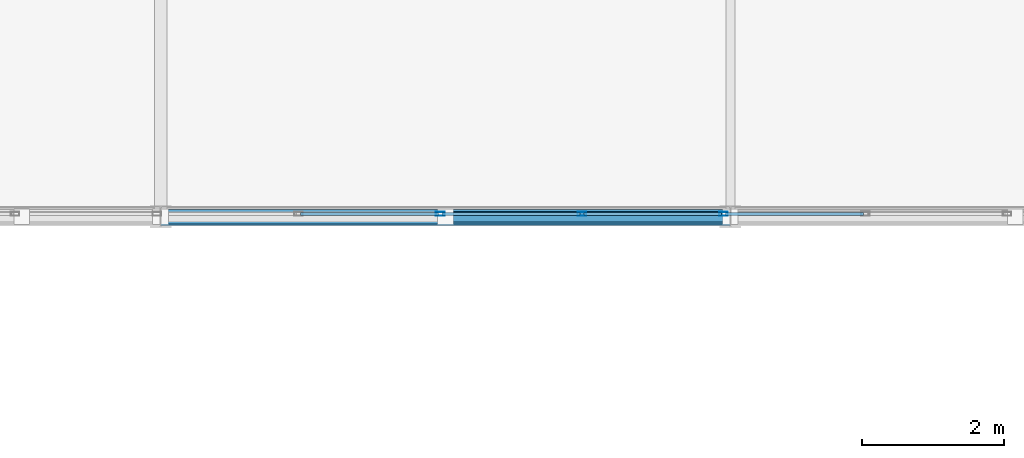
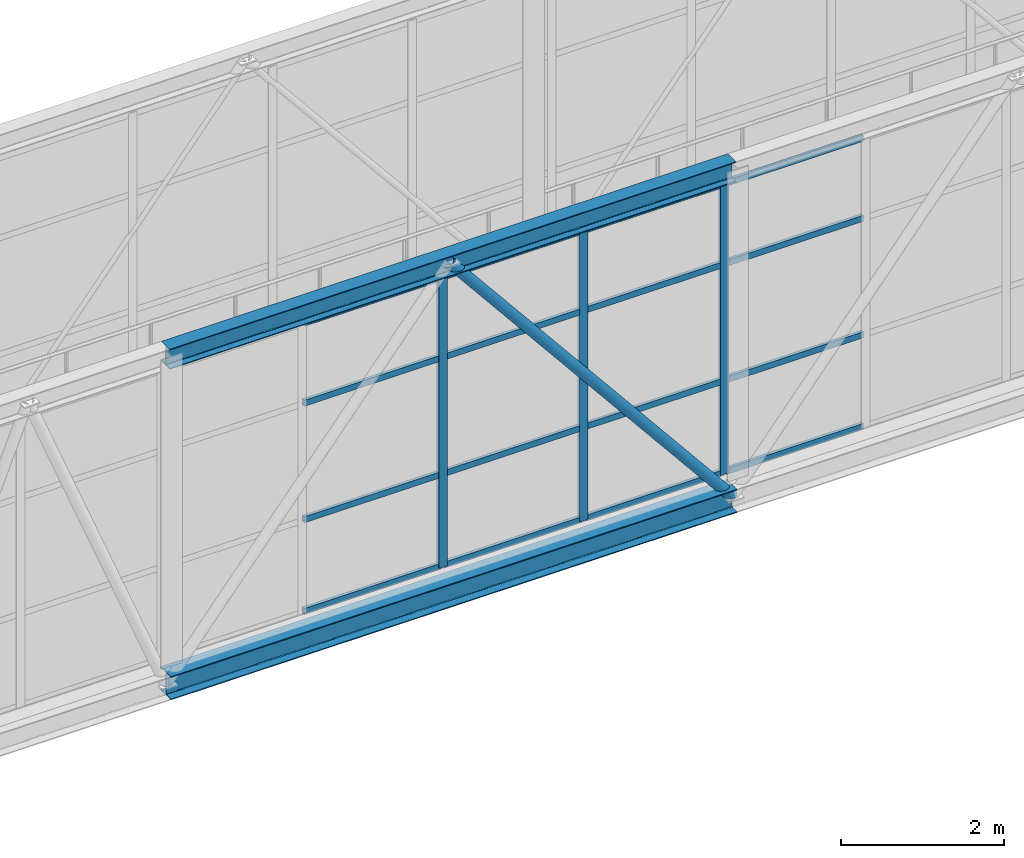
# One storey, part 149 of 248: 22 members, 1 element without a shape of its own.
"""IFC4 building model written with IfcOpenShell, lengths in metres."""

from ifc_helpers import new_model, si_unit, direction, frame, origin, origin_2d, place, context, subcontext, project, spatial, hollow_rectangle, hollow_circle, i_section, extrude, material, layer, layer_set, material_profile, profile_set, type_object, element, aggregate, save


model = new_model("IFC4")

# Units and contexts
model_context = context("Model", 3, precision=1e-05, world=origin(), true_north=direction((0.0, 1.0)))
body_context = subcontext(model_context, "Body", "Model", "MODEL_VIEW")
ifc_project = project(units=[si_unit("LENGTHUNIT", "METRE"), si_unit("AREAUNIT", "SQUARE_METRE"), si_unit("VOLUMEUNIT", "CUBIC_METRE"), si_unit("PLANEANGLEUNIT", "RADIAN"), si_unit("MASSUNIT", "GRAM", prefix="KILO")], contexts=[model_context])

# Site, building, storey
site_placement = place(None, origin())
site = spatial("IfcSite", under=ifc_project, at=site_placement, CompositionType="ELEMENT")
building_placement = place(site_placement, origin())
building = spatial("IfcBuilding", under=site, at=building_placement, Name="Canggui Botanical Conservatory", CompositionType="ELEMENT")
storey_placement = place(building_placement, frame((0.0, 0.0, 5.39990234375)))
storey = spatial("IfcBuildingStorey", under=building, at=storey_placement, Name="L02", CompositionType="ELEMENT", Elevation=5.39990234375)

# Curtain wall, members
ifc_material_1 = material(Name="Thermally Broken Aluminium", Category="aluminium")
ifc_layer = layer(ifc_material_1, 0.1201171875, Name="Thermally Broken Aluminium", Category="aluminium")
ifc_layer_set = layer_set([ifc_layer], Name="Thermally Broken Aluminium")
curtain_wall_type = type_object("IfcCurtainWallType", Name="CW-STICK-B", PredefinedType="USERDEFINED", material=ifc_layer_set)
curtain_wall_placement = place(storey_placement, origin())
curtain_wall = element("IfcCurtainWall", 1, at=curtain_wall_placement, inside=storey, type_object=curtain_wall_type, Name="Facade Curtain Wall CW-SB-04-1", ObjectType="STICK GLAZED WALL", PredefinedType="USERDEFINED")
ifc_material_profile_1 = material_profile(ifc_material_1, hollow_rectangle(XDim=0.054931640625, YDim=0.1201171875, WallThickness=0.0029296875, at=origin_2d()), Name="CWM 55x120x3")
ifc_profile_set_1 = profile_set([ifc_material_profile_1], Name="Thermally Broken Aluminium")
member_type_1 = type_object("IfcMemberType", Name="CWM-05", PredefinedType="MULLION", material=ifc_profile_set_1)
member_1_placement = place(storey_placement, frame((77.4267578125, 75.0400390625, 0.0), z_axis=(0.0, 0.0, 1.0), x_axis=(0.0, 1.0, 0.0)))
member_1 = element("IfcMember", 2, at=member_1_placement, type_object=member_type_1, Name="CW-05 mullion 6", PredefinedType="MULLION", context=body_context, shape_type="SweptSolid", body=[
    extrude(hollow_rectangle(XDim=0.054931640625, YDim=0.1201171875, WallThickness=0.0029296875, at=origin_2d()), origin(), (0.0, 0.0, 1.0), 4.35009765625),
])
member_2_placement = place(storey_placement, frame((79.416015625, 75.0400390625, 0.0), z_axis=(0.0, 0.0, 1.0), x_axis=(0.0, 1.0, 0.0)))
member_2 = element("IfcMember", 3, at=member_2_placement, type_object=member_type_1, Name="CW-05 mullion 7", PredefinedType="MULLION", context=body_context, shape_type="SweptSolid", body=[
    extrude(hollow_rectangle(XDim=0.054931640625, YDim=0.1201171875, WallThickness=0.0029296875, at=origin_2d()), origin(), (0.0, 0.0, 1.0), 4.35009765625),
])
member_3_placement = place(storey_placement, frame((81.405517578125, 75.0400390625, 0.0), z_axis=(0.0, 0.0, 1.0), x_axis=(0.0, 1.0, 0.0)))
member_3 = element("IfcMember", 4, at=member_3_placement, type_object=member_type_1, Name="CW-05 mullion 8", PredefinedType="MULLION", context=body_context, shape_type="SweptSolid", body=[
    extrude(hollow_rectangle(XDim=0.054931640625, YDim=0.1201171875, WallThickness=0.0029296875, at=origin_2d()), origin(), (0.0, 0.0, 1.0), 4.35009765625),
])
ifc_material_profile_2 = material_profile(ifc_material_1, hollow_rectangle(XDim=0.044921875, YDim=0.090087890625, WallThickness=0.0029296875, at=origin_2d()), Name="CWT 45x90x3")
ifc_profile_set_2 = profile_set([ifc_material_profile_2], Name="Thermally Broken Aluminium")
member_type_2 = type_object("IfcMemberType", Name="CWT-05", PredefinedType="USERDEFINED", material=ifc_profile_set_2)
member_4_placement = place(storey_placement, frame((75.46484375, 75.0400390625, 0.022705078125), z_axis=(1.0, 0.0, 0.0), x_axis=(0.0, 1.0, 0.0)))
member_4 = element("IfcMember", 5, at=member_4_placement, type_object=member_type_2, Name="CW-05 transom 5.1", ObjectType="TRANSOM", PredefinedType="USERDEFINED", context=body_context, shape_type="SweptSolid", body=[
    extrude(hollow_rectangle(XDim=0.044921875, YDim=0.090087890625, WallThickness=0.0029296875, at=origin_2d()), origin(), (0.0, 0.0, 1.0), 1.934326171875),
])
member_5_placement = place(storey_placement, frame((75.46484375, 75.0400390625, 1.39208984375), z_axis=(1.0, 0.0, 0.0), x_axis=(0.0, 1.0, 0.0)))
member_5 = element("IfcMember", 6, at=member_5_placement, type_object=member_type_2, Name="CW-05 transom 5.2", ObjectType="TRANSOM", PredefinedType="USERDEFINED", context=body_context, shape_type="SweptSolid", body=[
    extrude(hollow_rectangle(XDim=0.044921875, YDim=0.090087890625, WallThickness=0.0029296875, at=origin_2d()), origin(), (0.0, 0.0, 1.0), 1.934326171875),
])
member_6_placement = place(storey_placement, frame((75.46484375, 75.0400390625, 3.132080078125), z_axis=(1.0, 0.0, 0.0), x_axis=(0.0, 1.0, 0.0)))
member_6 = element("IfcMember", 7, at=member_6_placement, type_object=member_type_2, Name="CW-05 transom 5.3", ObjectType="TRANSOM", PredefinedType="USERDEFINED", context=body_context, shape_type="SweptSolid", body=[
    extrude(hollow_rectangle(XDim=0.044921875, YDim=0.090087890625, WallThickness=0.0029296875, at=origin_2d()), origin(), (0.0, 0.0, 1.0), 1.934326171875),
])
member_7_placement = place(storey_placement, frame((75.46484375, 75.0400390625, 4.32763671875), z_axis=(1.0, 0.0, 0.0), x_axis=(0.0, 1.0, 0.0)))
member_7 = element("IfcMember", 8, at=member_7_placement, type_object=member_type_2, Name="CW-05 transom 5.4", ObjectType="TRANSOM", PredefinedType="USERDEFINED", context=body_context, shape_type="SweptSolid", body=[
    extrude(hollow_rectangle(XDim=0.044921875, YDim=0.090087890625, WallThickness=0.0029296875, at=origin_2d()), origin(), (0.0, 0.0, 1.0), 1.934326171875),
])
member_8_placement = place(storey_placement, frame((77.454345703125, 75.0400390625, 0.022705078125), z_axis=(1.0, 0.0, 0.0), x_axis=(0.0, 1.0, 0.0)))
member_8 = element("IfcMember", 9, at=member_8_placement, type_object=member_type_2, Name="CW-05 transom 6.1", ObjectType="TRANSOM", PredefinedType="USERDEFINED", context=body_context, shape_type="SweptSolid", body=[
    extrude(hollow_rectangle(XDim=0.044921875, YDim=0.090087890625, WallThickness=0.0029296875, at=origin_2d()), origin(), (0.0, 0.0, 1.0), 1.934326171875),
])
member_9_placement = place(storey_placement, frame((77.454345703125, 75.0400390625, 1.39208984375), z_axis=(1.0, 0.0, 0.0), x_axis=(0.0, 1.0, 0.0)))
member_9 = element("IfcMember", 10, at=member_9_placement, type_object=member_type_2, Name="CW-05 transom 6.2", ObjectType="TRANSOM", PredefinedType="USERDEFINED", context=body_context, shape_type="SweptSolid", body=[
    extrude(hollow_rectangle(XDim=0.044921875, YDim=0.090087890625, WallThickness=0.0029296875, at=origin_2d()), origin(), (0.0, 0.0, 1.0), 1.934326171875),
])
member_10_placement = place(storey_placement, frame((77.454345703125, 75.0400390625, 3.132080078125), z_axis=(1.0, 0.0, 0.0), x_axis=(0.0, 1.0, 0.0)))
member_10 = element("IfcMember", 11, at=member_10_placement, type_object=member_type_2, Name="CW-05 transom 6.3", ObjectType="TRANSOM", PredefinedType="USERDEFINED", context=body_context, shape_type="SweptSolid", body=[
    extrude(hollow_rectangle(XDim=0.044921875, YDim=0.090087890625, WallThickness=0.0029296875, at=origin_2d()), origin(), (0.0, 0.0, 1.0), 1.934326171875),
])
member_11_placement = place(storey_placement, frame((77.454345703125, 75.0400390625, 4.32763671875), z_axis=(1.0, 0.0, 0.0), x_axis=(0.0, 1.0, 0.0)))
member_11 = element("IfcMember", 12, at=member_11_placement, type_object=member_type_2, Name="CW-05 transom 6.4", ObjectType="TRANSOM", PredefinedType="USERDEFINED", context=body_context, shape_type="SweptSolid", body=[
    extrude(hollow_rectangle(XDim=0.044921875, YDim=0.090087890625, WallThickness=0.0029296875, at=origin_2d()), origin(), (0.0, 0.0, 1.0), 1.934326171875),
])
member_12_placement = place(storey_placement, frame((79.443603515625, 75.0400390625, 0.022705078125), z_axis=(1.0, 0.0, 0.0), x_axis=(0.0, 1.0, 0.0)))
member_12 = element("IfcMember", 13, at=member_12_placement, type_object=member_type_2, Name="CW-05 transom 7.1", ObjectType="TRANSOM", PredefinedType="USERDEFINED", context=body_context, shape_type="SweptSolid", body=[
    extrude(hollow_rectangle(XDim=0.044921875, YDim=0.090087890625, WallThickness=0.0029296875, at=origin_2d()), origin(), (0.0, 0.0, 1.0), 1.934326171875),
])
member_13_placement = place(storey_placement, frame((79.443603515625, 75.0400390625, 1.39208984375), z_axis=(1.0, 0.0, 0.0), x_axis=(0.0, 1.0, 0.0)))
member_13 = element("IfcMember", 14, at=member_13_placement, type_object=member_type_2, Name="CW-05 transom 7.2", ObjectType="TRANSOM", PredefinedType="USERDEFINED", context=body_context, shape_type="SweptSolid", body=[
    extrude(hollow_rectangle(XDim=0.044921875, YDim=0.090087890625, WallThickness=0.0029296875, at=origin_2d()), origin(), (0.0, 0.0, 1.0), 1.934326171875),
])
member_14_placement = place(storey_placement, frame((79.443603515625, 75.0400390625, 3.132080078125), z_axis=(1.0, 0.0, 0.0), x_axis=(0.0, 1.0, 0.0)))
member_14 = element("IfcMember", 15, at=member_14_placement, type_object=member_type_2, Name="CW-05 transom 7.3", ObjectType="TRANSOM", PredefinedType="USERDEFINED", context=body_context, shape_type="SweptSolid", body=[
    extrude(hollow_rectangle(XDim=0.044921875, YDim=0.090087890625, WallThickness=0.0029296875, at=origin_2d()), origin(), (0.0, 0.0, 1.0), 1.934326171875),
])
member_15_placement = place(storey_placement, frame((79.443603515625, 75.0400390625, 4.32763671875), z_axis=(1.0, 0.0, 0.0), x_axis=(0.0, 1.0, 0.0)))
member_15 = element("IfcMember", 16, at=member_15_placement, type_object=member_type_2, Name="CW-05 transom 7.4", ObjectType="TRANSOM", PredefinedType="USERDEFINED", context=body_context, shape_type="SweptSolid", body=[
    extrude(hollow_rectangle(XDim=0.044921875, YDim=0.090087890625, WallThickness=0.0029296875, at=origin_2d()), origin(), (0.0, 0.0, 1.0), 1.934326171875),
])
member_16_placement = place(storey_placement, frame((81.43310546875, 75.0400390625, 0.022705078125), z_axis=(1.0, 0.0, 0.0), x_axis=(0.0, 1.0, 0.0)))
member_16 = element("IfcMember", 17, at=member_16_placement, type_object=member_type_2, Name="CW-05 transom 8.1", ObjectType="TRANSOM", PredefinedType="USERDEFINED", context=body_context, shape_type="SweptSolid", body=[
    extrude(hollow_rectangle(XDim=0.044921875, YDim=0.090087890625, WallThickness=0.0029296875, at=origin_2d()), origin(), (0.0, 0.0, 1.0), 1.934326171875),
])
member_17_placement = place(storey_placement, frame((81.43310546875, 75.0400390625, 1.39208984375), z_axis=(1.0, 0.0, 0.0), x_axis=(0.0, 1.0, 0.0)))
member_17 = element("IfcMember", 18, at=member_17_placement, type_object=member_type_2, Name="CW-05 transom 8.2", ObjectType="TRANSOM", PredefinedType="USERDEFINED", context=body_context, shape_type="SweptSolid", body=[
    extrude(hollow_rectangle(XDim=0.044921875, YDim=0.090087890625, WallThickness=0.0029296875, at=origin_2d()), origin(), (0.0, 0.0, 1.0), 1.934326171875),
])
member_18_placement = place(storey_placement, frame((81.43310546875, 75.0400390625, 3.132080078125), z_axis=(1.0, 0.0, 0.0), x_axis=(0.0, 1.0, 0.0)))
member_18 = element("IfcMember", 19, at=member_18_placement, type_object=member_type_2, Name="CW-05 transom 8.3", ObjectType="TRANSOM", PredefinedType="USERDEFINED", context=body_context, shape_type="SweptSolid", body=[
    extrude(hollow_rectangle(XDim=0.044921875, YDim=0.090087890625, WallThickness=0.0029296875, at=origin_2d()), origin(), (0.0, 0.0, 1.0), 1.934326171875),
])
member_19_placement = place(storey_placement, frame((81.43310546875, 75.0400390625, 4.32763671875), z_axis=(1.0, 0.0, 0.0), x_axis=(0.0, 1.0, 0.0)))
member_19 = element("IfcMember", 20, at=member_19_placement, type_object=member_type_2, Name="CW-05 transom 8.4", ObjectType="TRANSOM", PredefinedType="USERDEFINED", context=body_context, shape_type="SweptSolid", body=[
    extrude(hollow_rectangle(XDim=0.044921875, YDim=0.090087890625, WallThickness=0.0029296875, at=origin_2d()), origin(), (0.0, 0.0, 1.0), 1.934326171875),
])
aggregate(curtain_wall, [member_1, member_2, member_3, member_4, member_5, member_6, member_7, member_8, member_9, member_10, member_11, member_12, member_13, member_14, member_15, member_16, member_17, member_18, member_19])

# Members
ifc_material_2 = material(Name="Steel Q355C", Category="steel")
ifc_material_profile_3 = material_profile(ifc_material_2, hollow_circle(Radius=0.075927734375, WallThickness=0.006103515625, at=origin_2d()), Name="CHS 152x6")
ifc_profile_set_3 = profile_set([ifc_material_profile_3], Name="Steel Q355C")
member_type_3 = type_object("IfcMemberType", Name="MEM-GSD04", PredefinedType="RAFTER", material=ifc_profile_set_3)
member_20_placement = place(storey_placement, frame((77.5, 75.0, 4.550048828125), z_axis=(0.632384053133, 0.0, -0.774655026024), x_axis=(0.0, 1.0, 0.0)))
element("IfcMember", 21, at=member_20_placement, inside=storey, type_object=member_type_3, Name="SB-04 Truss Web Rafter 1.3B", PredefinedType="RAFTER", context=body_context, shape_type="SweptSolid", body=[
    extrude(hollow_circle(Radius=0.075927734375, WallThickness=0.006103515625, at=origin_2d()), origin(), (0.0, 0.0, 1.0), 6.3251953125),
])
ifc_material_3 = material(Name="Steel Q355B", Category="steel")
ifc_material_profile_4 = material_profile(ifc_material_3, i_section(OverallWidth=0.25, OverallDepth=0.35009765625, WebThickness=0.009033203125, FlangeThickness=0.013916015625, FilletRadius=0.02001953125, at=origin_2d()), Name="HM 350x250x9x14")
ifc_profile_set_4 = profile_set([ifc_material_profile_4], Name="Steel Q355B")
member_type_4 = type_object("IfcMemberType", Name="MEM-TC03", PredefinedType="CHORD", material=ifc_profile_set_4)
member_21_placement = place(storey_placement, frame((73.5, 75.0, -0.349853515625), z_axis=(1.0, 0.0, 0.0), x_axis=(0.0, 1.0, 0.0)))
element("IfcMember", 22, at=member_21_placement, inside=storey, type_object=member_type_4, Name="SB-04 Deck Truss Bottom Chord 1.3", PredefinedType="CHORD", context=body_context, shape_type="SweptSolid", body=[
    extrude(i_section(OverallWidth=0.25, OverallDepth=0.35009765625, WebThickness=0.009033203125, FlangeThickness=0.013916015625, FilletRadius=0.02001953125, at=origin_2d()), origin(), (0.0, 0.0, 1.0), 8.0),
])
ifc_material_profile_5 = material_profile(ifc_material_3, i_section(OverallWidth=0.199951171875, OverallDepth=0.300048828125, WebThickness=0.008056640625, FlangeThickness=0.011962890625, FilletRadius=0.01806640625, at=origin_2d()), Name="HM 300x200x8x12")
ifc_profile_set_5 = profile_set([ifc_material_profile_5], Name="Steel Q355B")
member_type_5 = type_object("IfcMemberType", Name="MEM-TC04", PredefinedType="CHORD", material=ifc_profile_set_5)
member_22_placement = place(storey_placement, frame((73.5, 75.0, 4.550048828125), z_axis=(1.0, 0.0, 0.0), x_axis=(0.0, 1.0, 0.0)))
element("IfcMember", 23, at=member_22_placement, inside=storey, type_object=member_type_5, Name="SB-04 Roof Truss Top Chord 1.3", PredefinedType="CHORD", context=body_context, shape_type="SweptSolid", body=[
    extrude(i_section(OverallWidth=0.199951171875, OverallDepth=0.300048828125, WebThickness=0.008056640625, FlangeThickness=0.011962890625, FilletRadius=0.01806640625, at=origin_2d()), origin(), (0.0, 0.0, 1.0), 8.0),
])

save(model, "model.ifc")
